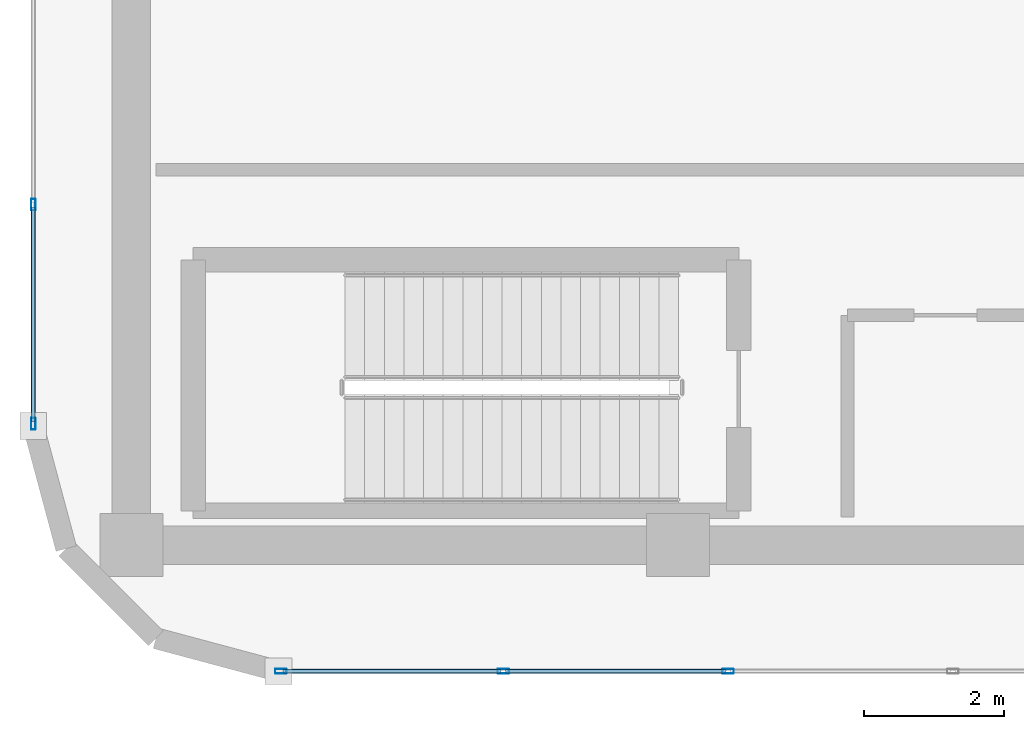
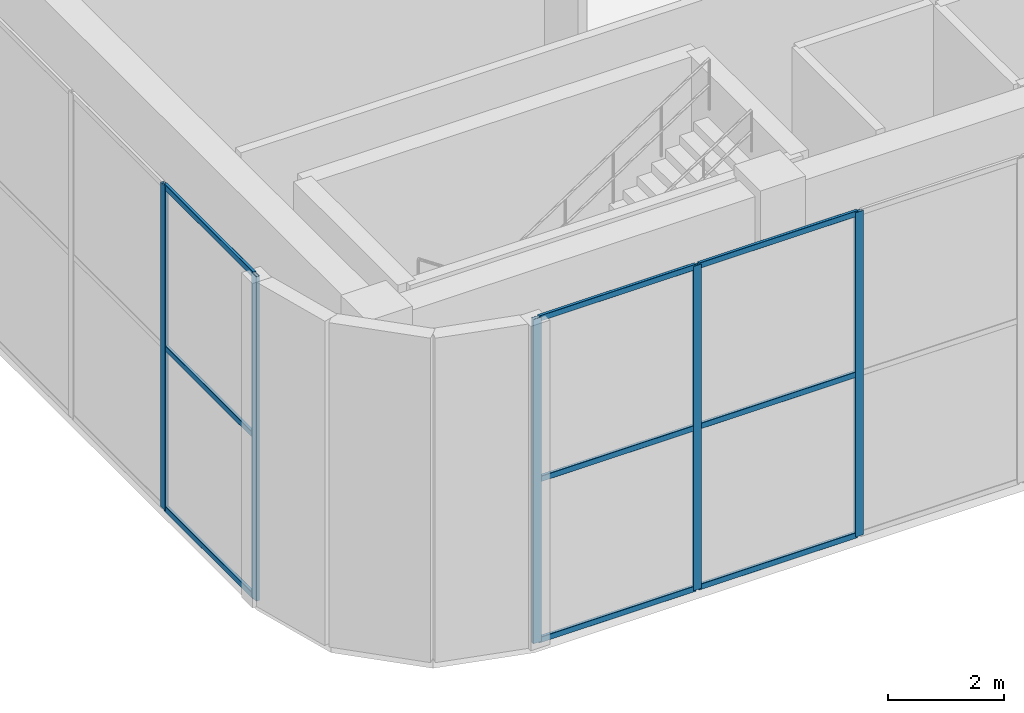
# One storey, part 2 of 23: 14 members, 2 elements without a shape of their own.
"""IFC4 building model written with IfcOpenShell, lengths in metres."""

from ifc_helpers import new_model, si_unit, direction, frame, origin, origin_2d, place, context, subcontext, project, spatial, hollow_rectangle, extrude, material, layer, layer_set, material_profile, profile_set, type_object, element, aggregate, save


model = new_model("IFC4")

# Units and contexts
model_context = context("Model", 3, precision=1e-05, world=origin(), true_north=direction((0.0, 1.0)))
body_context = subcontext(model_context, "Body", "Model", "MODEL_VIEW")
ifc_project = project(units=[si_unit("LENGTHUNIT", "METRE"), si_unit("AREAUNIT", "SQUARE_METRE"), si_unit("VOLUMEUNIT", "CUBIC_METRE"), si_unit("PLANEANGLEUNIT", "RADIAN"), si_unit("MASSUNIT", "GRAM", prefix="KILO")], contexts=[model_context])

# Site, building, storey
site_placement = place(None, origin())
site = spatial("IfcSite", under=ifc_project, at=site_placement, CompositionType="ELEMENT")
building_placement = place(site_placement, origin())
building = spatial("IfcBuilding", under=site, at=building_placement, Name="An Khanh Terracotta Commons", CompositionType="ELEMENT")
storey_placement = place(building_placement, frame((0.0, 0.0, 322.0)))
storey = spatial("IfcBuildingStorey", under=building, at=storey_placement, Name="L81 Crown Heat-Recovery Plant", CompositionType="ELEMENT", Elevation=322.0)

# Curtain wall, members
ifc_material = material(Name="Anodised Aluminium 6063-T6", Category="aluminium")
ifc_layer = layer(ifc_material, 0.18994140625, Name="Anodised Aluminium 6063-T6")
ifc_layer_set = layer_set([ifc_layer], Name="Anodised Aluminium 6063-T6")
curtain_wall_type = type_object("IfcCurtainWallType", Name="CW-SYS-06", PredefinedType="USERDEFINED", material=ifc_layer_set)
curtain_wall_1_placement = place(storey_placement, origin())
curtain_wall_1 = element("IfcCurtainWall", 1, at=curtain_wall_1_placement, inside=storey, type_object=curtain_wall_type, Name="L81 Crown Heat-Recovery Plant CW-06 Unitised Curtain Wall CW-L81-04", ObjectType="UNITISED CURTAIN WALL", PredefinedType="USERDEFINED")
ifc_material_profile_1 = material_profile(ifc_material, hollow_rectangle(XDim=0.06494140625, YDim=0.1650390625, WallThickness=0.00390625, InnerFilletRadius=0.00390625, OuterFilletRadius=0.008056640625, at=origin_2d()), Name="RHS165x65x4")
ifc_profile_set_1 = profile_set([ifc_material_profile_1], Name="Anodised Aluminium 6063-T6")
member_type_1 = type_object("IfcMemberType", Name="CWM-RHS165x65x4", PredefinedType="MULLION", material=ifc_profile_set_1)
member_1_placement = place(storey_placement, frame((23.732421875, 12.60009765625, 0.0), z_axis=(0.0, 0.0, 1.0), x_axis=(0.0, 1.0, 0.0)))
member_1 = element("IfcMember", 2, at=member_1_placement, type_object=member_type_1, Name="CW-06 mullion 1", PredefinedType="MULLION", context=body_context, shape_type="SweptSolid", body=[
    extrude(hollow_rectangle(XDim=0.06494140625, YDim=0.1650390625, WallThickness=0.00390625, InnerFilletRadius=0.00390625, OuterFilletRadius=0.008056640625, at=origin_2d()), origin(), (0.0, 0.0, 1.0), 6.800048828125),
])
member_2_placement = place(storey_placement, frame((26.908447265625, 12.60009765625, 0.0), z_axis=(0.0, 0.0, 1.0), x_axis=(0.0, 1.0, 0.0)))
member_2 = element("IfcMember", 3, at=member_2_placement, type_object=member_type_1, Name="CW-06 mullion 2", PredefinedType="MULLION", context=body_context, shape_type="SweptSolid", body=[
    extrude(hollow_rectangle(XDim=0.06494140625, YDim=0.1650390625, WallThickness=0.00390625, InnerFilletRadius=0.00390625, OuterFilletRadius=0.008056640625, at=origin_2d()), origin(), (0.0, 0.0, 1.0), 6.800048828125),
])
member_3_placement = place(storey_placement, frame((30.11669921875, 12.60009765625, 0.0), z_axis=(0.0, 0.0, 1.0), x_axis=(0.0, 1.0, 0.0)))
member_3 = element("IfcMember", 4, at=member_3_placement, type_object=member_type_1, Name="CW-06 mullion 3", PredefinedType="MULLION", context=body_context, shape_type="SweptSolid", body=[
    extrude(hollow_rectangle(XDim=0.06494140625, YDim=0.1650390625, WallThickness=0.00390625, InnerFilletRadius=0.00390625, OuterFilletRadius=0.008056640625, at=origin_2d()), origin(), (0.0, 0.0, 1.0), 6.800048828125),
])

curtain_wall_2_placement = place(storey_placement, origin())
curtain_wall_2 = element("IfcCurtainWall", 5, at=curtain_wall_2_placement, inside=storey, type_object=curtain_wall_type, Name="L81 Crown Heat-Recovery Plant CW-06 Unitised Curtain Wall CW-L81-24", ObjectType="UNITISED CURTAIN WALL", PredefinedType="USERDEFINED")
member_4_placement = place(storey_placement, frame((20.199951171875, 19.260009765625, 0.0), z_axis=(0.0, 0.0, 1.0), x_axis=(1.0, 0.0, 0.0)))
member_4 = element("IfcMember", 6, at=member_4_placement, type_object=member_type_1, Name="CW-06 mullion 5", PredefinedType="MULLION", context=body_context, shape_type="SweptSolid", body=[
    extrude(hollow_rectangle(XDim=0.06494140625, YDim=0.1650390625, WallThickness=0.00390625, InnerFilletRadius=0.00390625, OuterFilletRadius=0.008056640625, at=origin_2d()), origin(), (0.0, 0.0, 1.0), 6.800048828125),
])
member_5_placement = place(storey_placement, frame((20.199951171875, 16.132568359375, 0.0), z_axis=(0.0, 0.0, 1.0), x_axis=(1.0, 0.0, 0.0)))
member_5 = element("IfcMember", 7, at=member_5_placement, type_object=member_type_1, Name="CW-06 mullion 6", PredefinedType="MULLION", context=body_context, shape_type="SweptSolid", body=[
    extrude(hollow_rectangle(XDim=0.06494140625, YDim=0.1650390625, WallThickness=0.00390625, InnerFilletRadius=0.00390625, OuterFilletRadius=0.008056640625, at=origin_2d()), origin(), (0.0, 0.0, 1.0), 6.800048828125),
])

# Member
ifc_material_profile_2 = material_profile(ifc_material, hollow_rectangle(XDim=0.06005859375, YDim=0.1201171875, WallThickness=0.003662109375, InnerFilletRadius=0.003662109375, OuterFilletRadius=0.007080078125, at=origin_2d()), Name="RHS120x60x3.6")
ifc_profile_set_2 = profile_set([ifc_material_profile_2], Name="Anodised Aluminium 6063-T6")
member_type_2 = type_object("IfcMemberType", Name="CWT-RHS120x60x3.6", PredefinedType="USERDEFINED", material=ifc_profile_set_2)
member_6_placement = place(storey_placement, frame((23.764892578125, 12.60009765625, 0.030029296875), z_axis=(1.0, 0.0, 0.0), x_axis=(0.0, 1.0, 0.0)))
member_6 = element("IfcMember", 8, at=member_6_placement, type_object=member_type_2, Name="CW-06 transom 1.1", ObjectType="TRANSOM", PredefinedType="USERDEFINED", context=body_context, shape_type="SweptSolid", body=[
    extrude(hollow_rectangle(XDim=0.06005859375, YDim=0.1201171875, WallThickness=0.003662109375, InnerFilletRadius=0.003662109375, OuterFilletRadius=0.007080078125, at=origin_2d()), origin(), (0.0, 0.0, 1.0), 3.111083984375),
])

member_7_placement = place(storey_placement, frame((23.764892578125, 12.60009765625, 3.39990234375), z_axis=(1.0, 0.0, 0.0), x_axis=(0.0, 1.0, 0.0)))
member_7 = element("IfcMember", 9, at=member_7_placement, type_object=member_type_2, Name="CW-06 transom 1.2", ObjectType="TRANSOM", PredefinedType="USERDEFINED", context=body_context, shape_type="SweptSolid", body=[
    extrude(hollow_rectangle(XDim=0.06005859375, YDim=0.1201171875, WallThickness=0.003662109375, InnerFilletRadius=0.003662109375, OuterFilletRadius=0.007080078125, at=origin_2d()), origin(), (0.0, 0.0, 1.0), 3.111083984375),
])

member_8_placement = place(storey_placement, frame((23.764892578125, 12.60009765625, 6.77001953125), z_axis=(1.0, 0.0, 0.0), x_axis=(0.0, 1.0, 0.0)))
member_8 = element("IfcMember", 10, at=member_8_placement, type_object=member_type_2, Name="CW-06 transom 1.3", ObjectType="TRANSOM", PredefinedType="USERDEFINED", context=body_context, shape_type="SweptSolid", body=[
    extrude(hollow_rectangle(XDim=0.06005859375, YDim=0.1201171875, WallThickness=0.003662109375, InnerFilletRadius=0.003662109375, OuterFilletRadius=0.007080078125, at=origin_2d()), origin(), (0.0, 0.0, 1.0), 3.111083984375),
])

member_9_placement = place(storey_placement, frame((26.94091796875, 12.60009765625, 0.030029296875), z_axis=(1.0, 0.0, 0.0), x_axis=(0.0, 1.0, 0.0)))
member_9 = element("IfcMember", 11, at=member_9_placement, type_object=member_type_2, Name="CW-06 transom 2.1", ObjectType="TRANSOM", PredefinedType="USERDEFINED", context=body_context, shape_type="SweptSolid", body=[
    extrude(hollow_rectangle(XDim=0.06005859375, YDim=0.1201171875, WallThickness=0.003662109375, InnerFilletRadius=0.003662109375, OuterFilletRadius=0.007080078125, at=origin_2d()), origin(), (0.0, 0.0, 1.0), 3.143310546875),
])

member_10_placement = place(storey_placement, frame((26.94091796875, 12.60009765625, 3.39990234375), z_axis=(1.0, 0.0, 0.0), x_axis=(0.0, 1.0, 0.0)))
member_10 = element("IfcMember", 12, at=member_10_placement, type_object=member_type_2, Name="CW-06 transom 2.2", ObjectType="TRANSOM", PredefinedType="USERDEFINED", context=body_context, shape_type="SweptSolid", body=[
    extrude(hollow_rectangle(XDim=0.06005859375, YDim=0.1201171875, WallThickness=0.003662109375, InnerFilletRadius=0.003662109375, OuterFilletRadius=0.007080078125, at=origin_2d()), origin(), (0.0, 0.0, 1.0), 3.143310546875),
])

member_11_placement = place(storey_placement, frame((26.94091796875, 12.60009765625, 6.77001953125), z_axis=(1.0, 0.0, 0.0), x_axis=(0.0, 1.0, 0.0)))
member_11 = element("IfcMember", 13, at=member_11_placement, type_object=member_type_2, Name="CW-06 transom 2.3", ObjectType="TRANSOM", PredefinedType="USERDEFINED", context=body_context, shape_type="SweptSolid", body=[
    extrude(hollow_rectangle(XDim=0.06005859375, YDim=0.1201171875, WallThickness=0.003662109375, InnerFilletRadius=0.003662109375, OuterFilletRadius=0.007080078125, at=origin_2d()), origin(), (0.0, 0.0, 1.0), 3.143310546875),
])

aggregate(curtain_wall_1, [member_1, member_2, member_3, member_6, member_7, member_8, member_9, member_10, member_11])

member_12_placement = place(storey_placement, frame((20.199951171875, 19.2275390625, 0.030029296875), z_axis=(0.0, -1.0, 0.0), x_axis=(1.0, 0.0, 0.0)))
member_12 = element("IfcMember", 14, at=member_12_placement, type_object=member_type_2, Name="CW-06 transom 5.1", ObjectType="TRANSOM", PredefinedType="USERDEFINED", context=body_context, shape_type="SweptSolid", body=[
    extrude(hollow_rectangle(XDim=0.06005859375, YDim=0.1201171875, WallThickness=0.003662109375, InnerFilletRadius=0.003662109375, OuterFilletRadius=0.007080078125, at=origin_2d()), origin(), (0.0, 0.0, 1.0), 3.0625),
])

member_13_placement = place(storey_placement, frame((20.199951171875, 19.2275390625, 3.39990234375), z_axis=(0.0, -1.0, 0.0), x_axis=(1.0, 0.0, 0.0)))
member_13 = element("IfcMember", 15, at=member_13_placement, type_object=member_type_2, Name="CW-06 transom 5.2", ObjectType="TRANSOM", PredefinedType="USERDEFINED", context=body_context, shape_type="SweptSolid", body=[
    extrude(hollow_rectangle(XDim=0.06005859375, YDim=0.1201171875, WallThickness=0.003662109375, InnerFilletRadius=0.003662109375, OuterFilletRadius=0.007080078125, at=origin_2d()), origin(), (0.0, 0.0, 1.0), 3.0625),
])

member_14_placement = place(storey_placement, frame((20.199951171875, 19.2275390625, 6.77001953125), z_axis=(0.0, -1.0, 0.0), x_axis=(1.0, 0.0, 0.0)))
member_14 = element("IfcMember", 16, at=member_14_placement, type_object=member_type_2, Name="CW-06 transom 5.3", ObjectType="TRANSOM", PredefinedType="USERDEFINED", context=body_context, shape_type="SweptSolid", body=[
    extrude(hollow_rectangle(XDim=0.06005859375, YDim=0.1201171875, WallThickness=0.003662109375, InnerFilletRadius=0.003662109375, OuterFilletRadius=0.007080078125, at=origin_2d()), origin(), (0.0, 0.0, 1.0), 3.0625),
])

aggregate(curtain_wall_2, [member_4, member_5, member_12, member_13, member_14])

save(model, "model.ifc")
